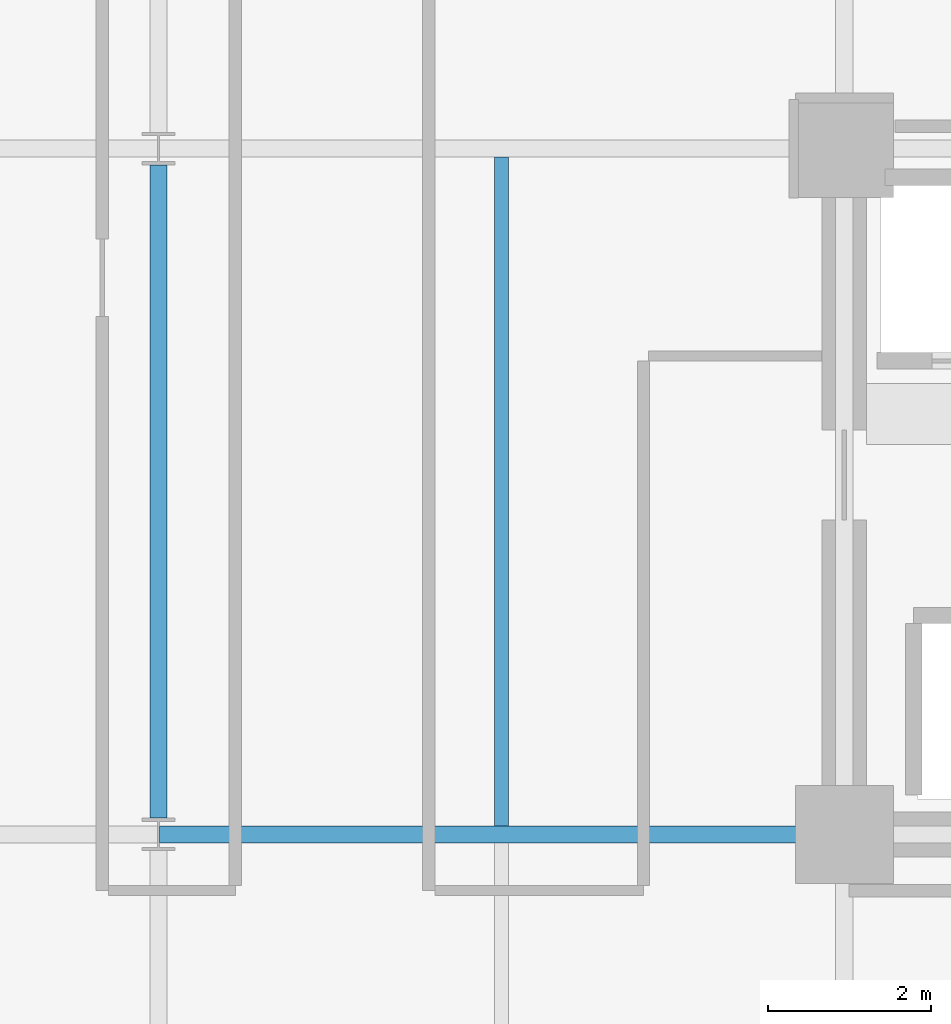
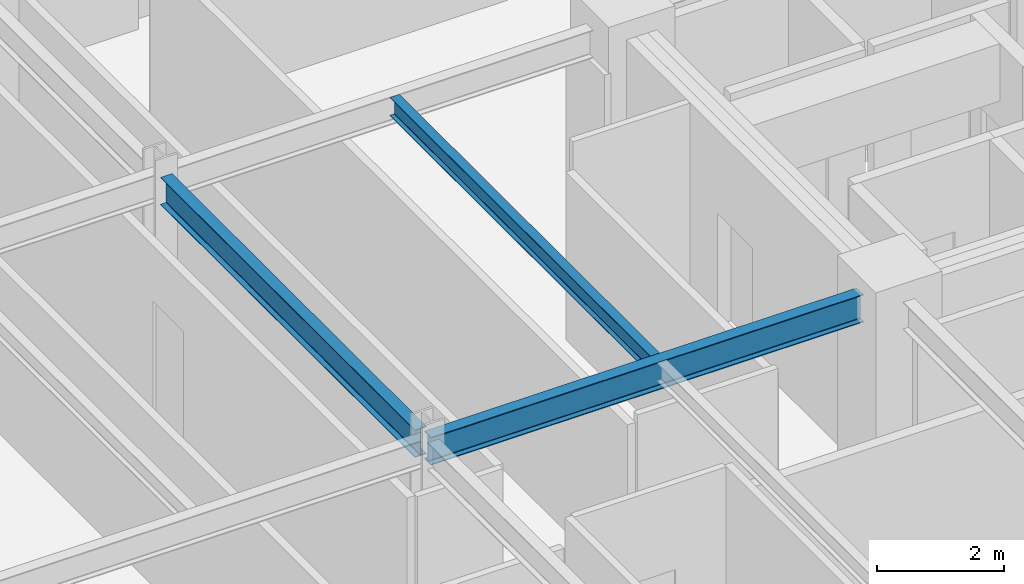
# One storey, part 5 of 29: 3 beams.
"""IFC4 building model written with IfcOpenShell, lengths in metres."""

from ifc_helpers import new_model, si_unit, direction, frame, origin, origin_2d, place, context, subcontext, project, spatial, i_section, extrude, material, material_profile, profile_set, type_object, element, save


model = new_model("IFC4")

# Units and contexts
model_context = context("Model", 3, precision=1e-05, world=origin(), true_north=direction((0.0, 1.0)))
body_context = subcontext(model_context, "Body", "Model", "MODEL_VIEW")
ifc_project = project(units=[si_unit("LENGTHUNIT", "METRE"), si_unit("AREAUNIT", "SQUARE_METRE"), si_unit("VOLUMEUNIT", "CUBIC_METRE"), si_unit("PLANEANGLEUNIT", "RADIAN"), si_unit("MASSUNIT", "GRAM", prefix="KILO")], contexts=[model_context])

# Site, building, storey
site_placement = place(None, origin())
site = spatial("IfcSite", under=ifc_project, at=site_placement, CompositionType="ELEMENT")
building_placement = place(site_placement, origin())
building = spatial("IfcBuilding", under=site, at=building_placement, Name="Nerrivon Quay Data Exchange", CompositionType="ELEMENT")
storey_placement = place(building_placement, frame((0.0, 0.0, 158.199951171875)))
storey = spatial("IfcBuildingStorey", under=building, at=storey_placement, Name="L37", CompositionType="ELEMENT", Elevation=158.199951171875)

# Beams
ifc_material = material(Name="Steel Grade 350", Category="steel")
ifc_material_profile_1 = material_profile(ifc_material, i_section(OverallWidth=0.208984375, OverallDepth=0.532958984375, WebThickness=0.01025390625, FlangeThickness=0.015625, FilletRadius=0.013916015625, at=origin_2d()), Name="530UB92.4")
ifc_profile_set_1 = profile_set([ifc_material_profile_1], Name="Steel Grade 350")
beam_type_1 = type_object("IfcBeamType", Name="BM-G3-530UB92", PredefinedType="BEAM", material=ifc_profile_set_1)
beam_1_placement = place(storey_placement, frame((8.41259765625, 8.39990234375, 3.483642578125), z_axis=(1.0, 0.0, 0.0), x_axis=(0.0, 1.0, 0.0)))
element("IfcBeam", 1, at=beam_1_placement, inside=storey, type_object=beam_type_1, Name="L37 EW Girder Y=8.4 (8.4..16.8)", PredefinedType="BEAM", context=body_context, shape_type="SweptSolid", body=[
    extrude(i_section(OverallWidth=0.208984375, OverallDepth=0.532958984375, WebThickness=0.01025390625, FlangeThickness=0.015625, FilletRadius=0.013916015625, at=origin_2d()), origin(), (0.0, 0.0, 1.0), 7.847412109375),
])
ifc_material_profile_2 = material_profile(ifc_material, i_section(OverallWidth=0.208984375, OverallDepth=0.528076171875, WebThickness=0.009521484375, FlangeThickness=0.01318359375, FilletRadius=0.013916015625, at=origin_2d()), Name="530UB82.0")
ifc_profile_set_2 = profile_set([ifc_material_profile_2], Name="Steel Grade 350")
beam_type_2 = type_object("IfcBeamType", Name="BM-G4-530UB82", PredefinedType="BEAM", material=ifc_profile_set_2)
beam_2_placement = place(storey_placement, frame((8.39990234375, 8.60009765625, 3.486083984375), z_axis=(0.0, 1.0, 0.0), x_axis=(-1.0, 0.0, 0.0)))
element("IfcBeam", 2, at=beam_2_placement, inside=storey, type_object=beam_type_2, Name="L37 NS Girder X=8.4 (8.4..16.8)", PredefinedType="BEAM", context=body_context, shape_type="SweptSolid", body=[
    extrude(i_section(OverallWidth=0.208984375, OverallDepth=0.528076171875, WebThickness=0.009521484375, FlangeThickness=0.01318359375, FilletRadius=0.013916015625, at=origin_2d()), origin(), (0.0, 0.0, 1.0), 8.0),
])
ifc_material_profile_3 = material_profile(ifc_material, i_section(OverallWidth=0.1708984375, OverallDepth=0.35595703125, WebThickness=0.00732421875, FlangeThickness=0.011474609375, FilletRadius=0.011474609375, at=origin_2d()), Name="360UB50.7")
ifc_profile_set_3 = profile_set([ifc_material_profile_3], Name="Steel Grade 350")
beam_type_3 = type_object("IfcBeamType", Name="BM-J4-360UB51", PredefinedType="JOIST", material=ifc_profile_set_3)
beam_3_placement = place(storey_placement, frame((12.60009765625, 8.50439453125, 3.572021484375), z_axis=(0.0, 1.0, 0.0), x_axis=(-1.0, 0.0, 0.0)))
element("IfcBeam", 3, at=beam_3_placement, inside=storey, type_object=beam_type_3, Name="L37 Secondary Joist X=12.6 (8.4..16.8)", PredefinedType="JOIST", context=body_context, shape_type="SweptSolid", body=[
    extrude(i_section(OverallWidth=0.1708984375, OverallDepth=0.35595703125, WebThickness=0.00732421875, FlangeThickness=0.011474609375, FilletRadius=0.011474609375, at=origin_2d()), origin(), (0.0, 0.0, 1.0), 8.191162109375),
])

save(model, "model.ifc")
